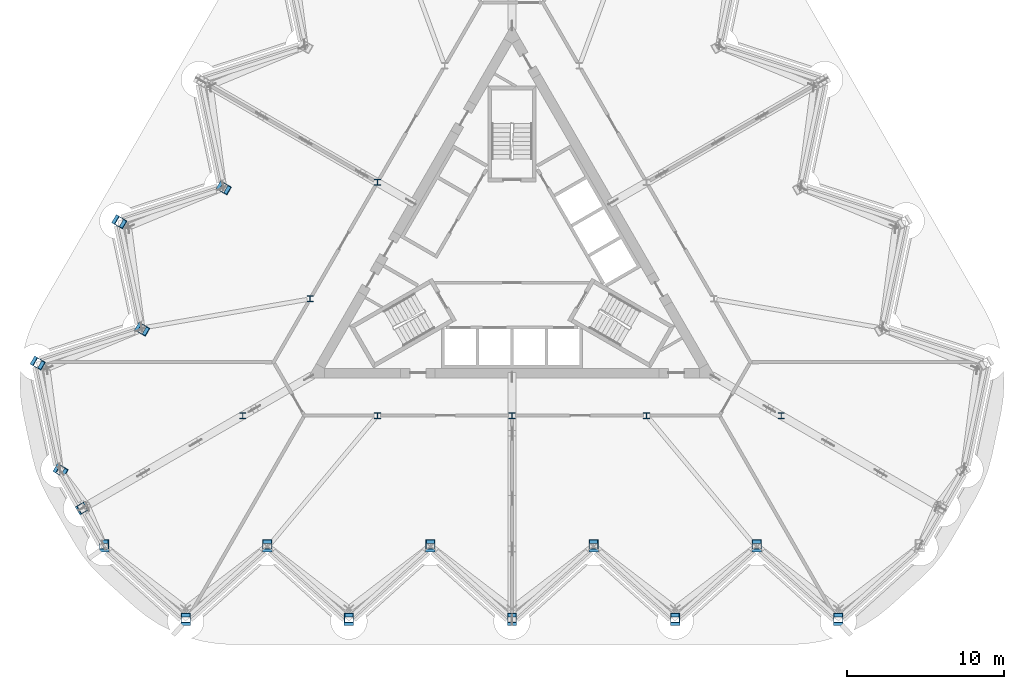
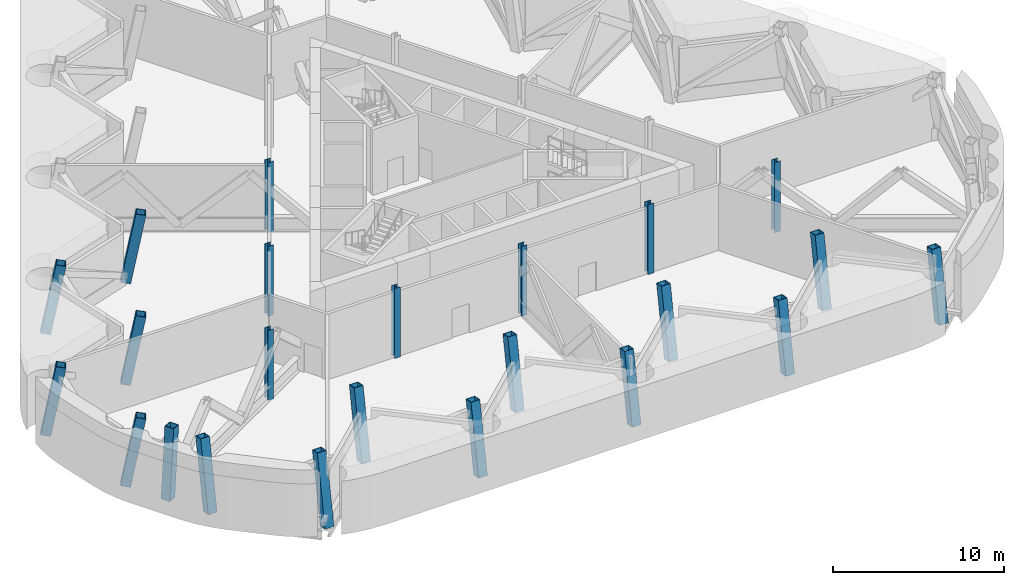
# One storey, part 1 of 16: 23 columns.
"""IFC4 building model written with IfcOpenShell, lengths in metres."""

from ifc_helpers import new_model, si_unit, direction, frame, origin, origin_2d, place, context, subcontext, project, spatial, hollow_rectangle, i_section, extrude, material, material_profile, profile_set, type_object, element, save


model = new_model("IFC4")

# Units and contexts
model_context = context("Model", 3, precision=1e-05, world=origin(), true_north=direction((0.0, 1.0)))
body_context = subcontext(model_context, "Body", "Model", "MODEL_VIEW")
ifc_project = project(units=[si_unit("LENGTHUNIT", "METRE"), si_unit("AREAUNIT", "SQUARE_METRE"), si_unit("VOLUMEUNIT", "CUBIC_METRE"), si_unit("PLANEANGLEUNIT", "RADIAN"), si_unit("MASSUNIT", "GRAM", prefix="KILO")], contexts=[model_context])

# Site, building, storey
site_placement = place(None, origin())
site = spatial("IfcSite", under=ifc_project, at=site_placement, CompositionType="ELEMENT")
building_placement = place(site_placement, origin())
building = spatial("IfcBuilding", under=site, at=building_placement, Name="Cormorant Prow Tower", CompositionType="ELEMENT")
storey_placement = place(building_placement, frame((0.0, 0.0, 356.0)))
storey = spatial("IfcBuildingStorey", under=building, at=storey_placement, Name="L79", CompositionType="ELEMENT", Elevation=356.0)

# Columns
ifc_material_1 = material(Name="Structural steel ASTM A572 Gr 50", Category="steel")
ifc_material_profile_1 = material_profile(ifc_material_1, hollow_rectangle(XDim=0.60009765625, YDim=0.60009765625, WallThickness=0.0400390625, at=origin_2d()), Name="Box 600x600x40")
ifc_profile_set_1 = profile_set([ifc_material_profile_1], Name="Structural steel ASTM A572 Gr 50")
column_type_1 = type_object("IfcColumnType", Name="Perimeter box column 600x600x40", PredefinedType="COLUMN", material=ifc_profile_set_1)
for number, where, z_axis, x_axis, name in (
    (1, (-25.995361328125, -18.326904296875, 0.0), (-0.000912380025, 0.181179464991, 0.983449627092), (-0.999987320698, -0.005035716696, 0.0), "Perimeter column C6 at S00 L79"),
    (2, (-20.79638671875, -23.008056640625, 0.0), (-0.000720325188, 0.180993708891, 0.983483989943), (-0.999992080549, -0.003979803982, 0.0), "Perimeter column C6 at S01 L79"),
    (3, (-15.59716796875, -18.326904296875, 0.0), (-0.00057624016, 0.181179510321, 0.983449873144), (-0.999994942271, -0.00318047689, 0.0), "Perimeter column C6 at S02 L79"),
    (4, (-10.398193359375, -23.008056640625, 0.0), (-0.000336151823, 0.180993745621, 0.983484189526), (-0.999998275303, -0.001857253364, 0.0), "Perimeter column C6 at S03 L79"),
    (5, (-5.198974609375, -18.326904296875, 0.0), (-0.000192080082, 0.181179537059, 0.983450018281), (-0.999999438026, -0.00106016373, 0.0), "Perimeter column C6 at S04 L79"),
    (6, (0.0, -23.008056640625, 0.0), (0.0, 0.180993755847, 0.983484245092), (-1.0, 0.0, 0.0), "Perimeter column C6 at S05 L79"),
    (7, (5.198974609375, -18.326904296875, 0.0), (0.000192080082, 0.181179537059, 0.983450018281), (-0.999999438026, 0.00106016373, 0.0), "Perimeter column C6 at S06 L79"),
    (8, (10.398193359375, -23.008056640625, 0.0), (0.000336151823, 0.180993745621, 0.983484189526), (-0.999998275303, 0.001857253364, 0.0), "Perimeter column C6 at S07 L79"),
    (9, (15.59716796875, -18.326904296875, 0.0), (0.00057624016, 0.181179510321, 0.983449873144), (-0.999994942271, 0.00318047689, 0.0), "Perimeter column C6 at S08 L79"),
    (10, (20.79638671875, -23.008056640625, 0.0), (0.000720325188, 0.180993708891, 0.983483989943), (-0.999992080549, 0.003979803982, 0.0), "Perimeter column C6 at S09 L79"),
    (11, (-18.470947265625, 4.660888671875, 0.0), (0.156785948758, -0.090758175545, 0.983453669394), (0.500984025362, 0.865456530585, 0.0), "Perimeter column C6 at WNW06 L79"),
    (12, (-25.124755859375, 2.4990234375, 0.0), (0.156597898492, -0.09080853298, 0.983478982249), (0.50164265683, 0.865074935973, 0.0), "Perimeter column C6 at WNW07 L79"),
    (13, (-23.670166015625, -4.34423828125, 0.0), (0.156641321974, -0.091045967646, 0.98345011466), (0.502519108136, 0.864566102712, 0.0), "Perimeter column C6 at WNW08 L79"),
    (14, (-30.32373046875, -6.506103515625, 0.0), (0.15640573142, -0.091144635626, 0.983478470825), (0.503491620184, 0.86400010903, 0.0), "Perimeter column C6 at WNW09 L79"),
    (15, (-28.869140625, -13.349365234375, 0.0), (0.156449835687, -0.091334434462, 0.983453847415), (0.504167657118, 0.863605797524, 0.0), "Perimeter column C6 at WSW00 L79"),
):
    element("IfcColumn", number, at=place(storey_placement, frame(where, z_axis=z_axis, x_axis=x_axis)), inside=storey, type_object=column_type_1, Name=name, PredefinedType="COLUMN", context=body_context, shape_type="SweptSolid", body=[
        extrude(hollow_rectangle(XDim=0.60009765625, YDim=0.60009765625, WallThickness=0.0400390625, at=origin_2d()), frame((0.0, 0.0, 0.05517578125)), (0.0, 0.0, 1.0), 4.9736328125),
    ])
column_placement = place(storey_placement, frame((-27.432373046875, -15.838134765625, 0.0), z_axis=(0.07877370439, 0.045465070126, 0.995855225871), x_axis=(-0.499876722092, 0.86609656662, 0.0)))
element("IfcColumn", 16, at=column_placement, inside=storey, type_object=column_type_1, Name="Perimeter column C6 at WSW01 L79", PredefinedType="COLUMN", context=body_context, shape_type="SweptSolid", body=[
    extrude(hollow_rectangle(XDim=0.60009765625, YDim=0.60009765625, WallThickness=0.0400390625, at=origin_2d()), frame((0.0, 0.0, 0.02734375)), (0.0, 0.0, 1.0), 4.966064453125),
])
ifc_material_2 = material(Name="Structural steel ASTM A992 Gr 50", Category="steel")
ifc_material_profile_2 = material_profile(ifc_material_2, i_section(OverallWidth=0.3955078125, OverallDepth=0.380615234375, WebThickness=0.018798828125, FlangeThickness=0.0302734375, at=origin_2d()), Name="W14x159")
ifc_profile_set_2 = profile_set([ifc_material_profile_2], Name="Structural steel ASTM A992 Gr 50")
column_type_2 = type_object("IfcColumnType", Name="Ring column W14x159", PredefinedType="COLUMN", material=ifc_profile_set_2)
for number, where, z_axis, x_axis, name in (
    (17, (-8.578369140625, 4.952880859375, 0.0), (0.0, 0.0, 1.0), (1.0, 0.0, 0.0), "Ring column 3 L79"),
    (18, (-12.86767578125, -2.476318359375, 0.0), (0.0, 0.0, 1.0), (1.0, 0.0, 0.0), "Ring column 4 L79"),
    (19, (-17.156982421875, -9.905517578125, 0.0), (0.0, 0.0, 1.0), (1.0, 0.0, 0.0), "Ring column 5 L79"),
    (20, (-8.578369140625, -9.905517578125, 0.0), (0.0, 0.0, 1.0), (1.0, 0.0, 0.0), "Ring column 6 L79"),
    (21, (0.0, -9.905517578125, 0.0), (0.0, 0.0, 1.0), (1.0, 0.0, 0.0), "Ring column 7 L79"),
    (22, (8.578369140625, -9.905517578125, 0.0), (0.0, 0.0, 1.0), (1.0, 0.0, 0.0), "Ring column 8 L79"),
    (23, (17.156982421875, -9.905517578125, 0.0), (0.0, 0.0, 1.0), (1.0, 0.0, 0.0), "Ring column 9 L79"),
):
    element("IfcColumn", number, at=place(storey_placement, frame(where, z_axis=z_axis, x_axis=x_axis)), inside=storey, type_object=column_type_2, Name=name, PredefinedType="COLUMN", context=body_context, shape_type="SweptSolid", body=[
        extrude(i_section(OverallWidth=0.3955078125, OverallDepth=0.380615234375, WebThickness=0.018798828125, FlangeThickness=0.0302734375, at=origin_2d()), origin(), (0.0, 0.0, 1.0), 5.0),
    ])

save(model, "model.ifc")
